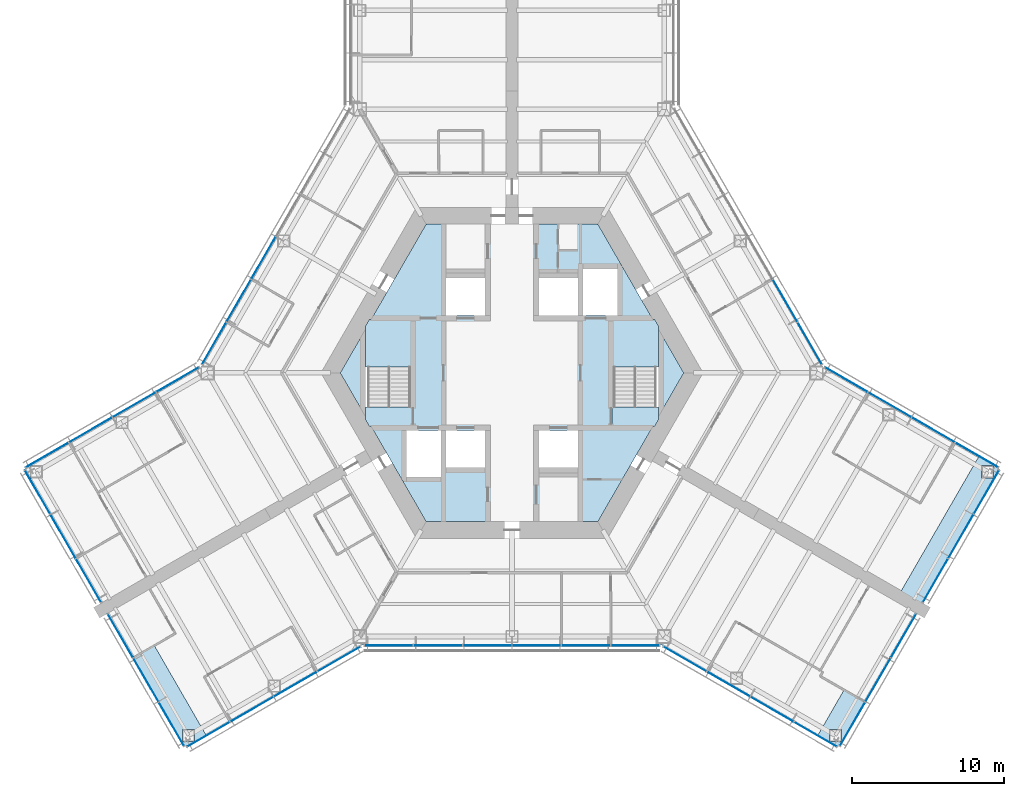
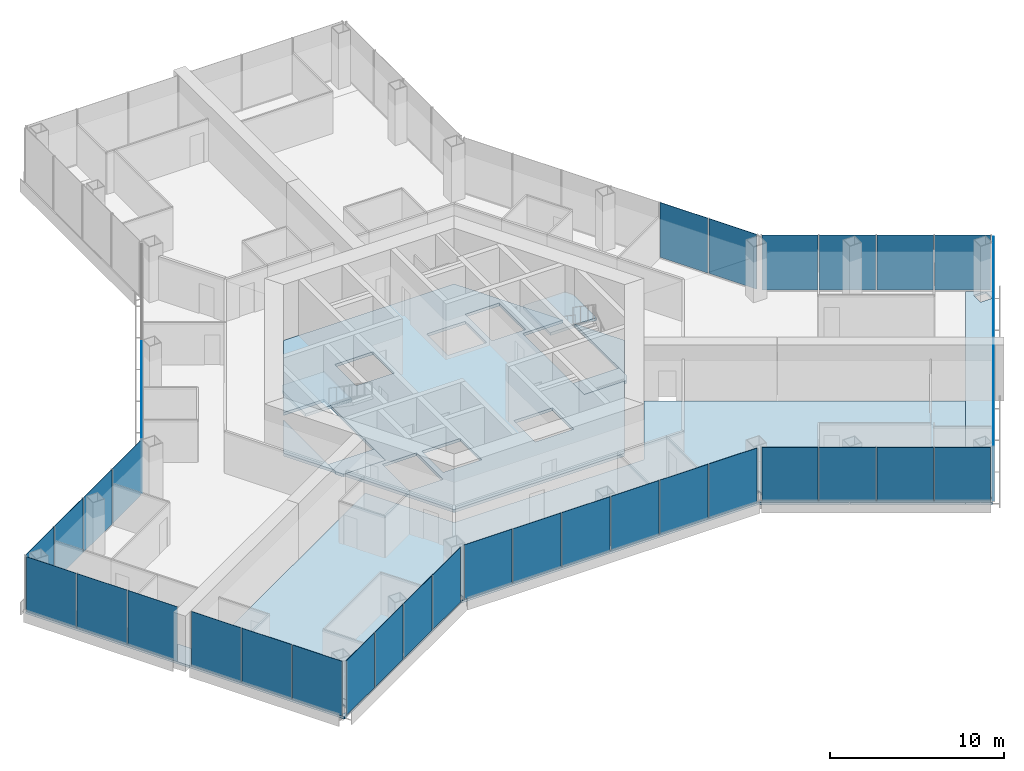
# One storey, part 10 of 18: 39 plates, 10 slabs, 13 elements without a shape of their own.
"""IFC4 building model written with IfcOpenShell, lengths in metres."""

from ifc_helpers import new_model, si_unit, direction, frame, origin, origin_2d, place, context, subcontext, project, spatial, polyline, rectangle, outline, extrude, material, layer, layer_set, type_object, element, aggregate, save


model = new_model("IFC4")

# Units and contexts
model_context = context("Model", 3, precision=1e-05, world=origin(), true_north=direction((0.0, 1.0)))
body_context = subcontext(model_context, "Body", "Model", "MODEL_VIEW")
ifc_project = project(units=[si_unit("LENGTHUNIT", "METRE"), si_unit("AREAUNIT", "SQUARE_METRE"), si_unit("VOLUMEUNIT", "CUBIC_METRE"), si_unit("PLANEANGLEUNIT", "RADIAN"), si_unit("MASSUNIT", "GRAM", prefix="KILO")], contexts=[model_context])

# Site, building, storey
site_placement = place(None, origin())
site = spatial("IfcSite", under=ifc_project, at=site_placement, CompositionType="ELEMENT")
building_placement = place(site_placement, origin())
building = spatial("IfcBuilding", under=site, at=building_placement, Name="Kasaneha Research Tower", CompositionType="ELEMENT")
storey_placement = place(building_placement, frame((0.0, 0.0, 111.89990234375)))
storey = spatial("IfcBuildingStorey", under=building, at=storey_placement, Name="L28", CompositionType="ELEMENT", Elevation=111.89990234375)

# Curtain wall, plates
ifc_material_1 = material(Name="Glass and aluminium", Category="aluminium")
curtain_wall_type = type_object("IfcCurtainWallType", Name="Low-rise office curtain wall", PredefinedType="USERDEFINED", material=ifc_material_1)
curtain_wall_1_placement = place(storey_placement, origin())
curtain_wall_1 = element("IfcCurtainWall", 1, at=curtain_wall_1_placement, inside=storey, type_object=curtain_wall_type, Name="CW-O1 L28 run 01a", ObjectType="UNITISED CURTAIN WALL", PredefinedType="USERDEFINED")
ifc_material_2 = material(Name="Laminated double glazing", Category="glass")
ifc_layer_1 = layer(ifc_material_2, 0.028076171875)
ifc_layer_set_1 = layer_set([ifc_layer_1], Name="CW-O1 glazed panel")
plate_type = type_object("IfcPlateType", Name="CW-O1 glazed panel", PredefinedType="CURTAIN_PANEL", material=ifc_layer_set_1)
plate_1_placement = place(storey_placement, frame((-19.945068359375, -23.755126953125, 0.06005859375), z_axis=(0.0, 0.0, 1.0), x_axis=(0.866025411464, 0.499999986699, 0.0)))
plate_1 = element("IfcPlate", 2, at=plate_1_placement, type_object=plate_type, Name="CW-O1 panel 1", PredefinedType="CURTAIN_PANEL", context=body_context, shape_type="SweptSolid", body=[
    extrude(rectangle(XDim=3.2197265625, YDim=0.028076171875, at=origin_2d()), origin(), (0.0, 0.0, 1.0), 3.840087890625),
])
plate_2_placement = place(storey_placement, frame((-17.091796875, -22.107666015625, 0.06005859375), z_axis=(0.0, 0.0, 1.0), x_axis=(0.866025411464, 0.499999986699, 0.0)))
plate_2 = element("IfcPlate", 3, at=plate_2_placement, type_object=plate_type, Name="CW-O1 panel 2", PredefinedType="CURTAIN_PANEL", context=body_context, shape_type="SweptSolid", body=[
    extrude(rectangle(XDim=3.249755859375, YDim=0.028076171875, at=origin_2d()), origin(), (0.0, 0.0, 1.0), 3.840087890625),
])
plate_3_placement = place(storey_placement, frame((-14.225341796875, -20.452880859375, 0.06005859375), z_axis=(0.0, 0.0, 1.0), x_axis=(0.866025411464, 0.499999986699, 0.0)))
plate_3 = element("IfcPlate", 4, at=plate_3_placement, type_object=plate_type, Name="CW-O1 panel 3", PredefinedType="CURTAIN_PANEL", context=body_context, shape_type="SweptSolid", body=[
    extrude(rectangle(XDim=3.249755859375, YDim=0.028076171875, at=origin_2d()), origin(), (0.0, 0.0, 1.0), 3.840087890625),
])
plate_4_placement = place(storey_placement, frame((-11.3720703125, -18.805419921875, 0.06005859375), z_axis=(0.0, 0.0, 1.0), x_axis=(0.866025411464, 0.499999986699, 0.0)))
plate_4 = element("IfcPlate", 5, at=plate_4_placement, type_object=plate_type, Name="CW-O1 panel 4", PredefinedType="CURTAIN_PANEL", context=body_context, shape_type="SweptSolid", body=[
    extrude(rectangle(XDim=3.2197265625, YDim=0.028076171875, at=origin_2d()), origin(), (0.0, 0.0, 1.0), 3.840087890625),
])
aggregate(curtain_wall_1, [plate_1, plate_2, plate_3, plate_4])

curtain_wall_2_placement = place(storey_placement, origin())
curtain_wall_2 = element("IfcCurtainWall", 6, at=curtain_wall_2_placement, inside=storey, type_object=curtain_wall_type, Name="CW-O1 L28 run 02a", ObjectType="UNITISED CURTAIN WALL", PredefinedType="USERDEFINED")
plate_5_placement = place(storey_placement, frame((-8.10107421875, -17.92041015625, 0.06005859375), z_axis=(0.0, 0.0, 1.0), x_axis=(1.0, 0.0, 0.0)))
plate_5 = element("IfcPlate", 7, at=plate_5_placement, type_object=plate_type, Name="CW-O1 panel 1", PredefinedType="CURTAIN_PANEL", context=body_context, shape_type="SweptSolid", body=[
    extrude(rectangle(XDim=3.156494140625, YDim=0.028076171875, at=origin_2d()), origin(), (0.0, 0.0, 1.0), 3.840087890625),
])
plate_6_placement = place(storey_placement, frame((-4.86962890625, -17.92041015625, 0.06005859375), z_axis=(0.0, 0.0, 1.0), x_axis=(1.0, 0.0, 0.0)))
plate_6 = element("IfcPlate", 8, at=plate_6_placement, type_object=plate_type, Name="CW-O1 panel 2", PredefinedType="CURTAIN_PANEL", context=body_context, shape_type="SweptSolid", body=[
    extrude(rectangle(XDim=3.1865234375, YDim=0.028076171875, at=origin_2d()), origin(), (0.0, 0.0, 1.0), 3.840087890625),
])
plate_7_placement = place(storey_placement, frame((-1.623291015625, -17.92041015625, 0.06005859375), z_axis=(0.0, 0.0, 1.0), x_axis=(1.0, 0.0, 0.0)))
plate_7 = element("IfcPlate", 9, at=plate_7_placement, type_object=plate_type, Name="CW-O1 panel 3", PredefinedType="CURTAIN_PANEL", context=body_context, shape_type="SweptSolid", body=[
    extrude(rectangle(XDim=3.1865234375, YDim=0.028076171875, at=origin_2d()), origin(), (0.0, 0.0, 1.0), 3.840087890625),
])
plate_8_placement = place(storey_placement, frame((1.623291015625, -17.92041015625, 0.06005859375), z_axis=(0.0, 0.0, 1.0), x_axis=(1.0, 0.0, 0.0)))
plate_8 = element("IfcPlate", 10, at=plate_8_placement, type_object=plate_type, Name="CW-O1 panel 4", PredefinedType="CURTAIN_PANEL", context=body_context, shape_type="SweptSolid", body=[
    extrude(rectangle(XDim=3.1865234375, YDim=0.028076171875, at=origin_2d()), origin(), (0.0, 0.0, 1.0), 3.840087890625),
])
plate_9_placement = place(storey_placement, frame((4.86962890625, -17.92041015625, 0.06005859375), z_axis=(0.0, 0.0, 1.0), x_axis=(1.0, 0.0, 0.0)))
plate_9 = element("IfcPlate", 11, at=plate_9_placement, type_object=plate_type, Name="CW-O1 panel 5", PredefinedType="CURTAIN_PANEL", context=body_context, shape_type="SweptSolid", body=[
    extrude(rectangle(XDim=3.1865234375, YDim=0.028076171875, at=origin_2d()), origin(), (0.0, 0.0, 1.0), 3.840087890625),
])
plate_10_placement = place(storey_placement, frame((8.10107421875, -17.92041015625, 0.06005859375), z_axis=(0.0, 0.0, 1.0), x_axis=(1.0, 0.0, 0.0)))
plate_10 = element("IfcPlate", 12, at=plate_10_placement, type_object=plate_type, Name="CW-O1 panel 6", PredefinedType="CURTAIN_PANEL", context=body_context, shape_type="SweptSolid", body=[
    extrude(rectangle(XDim=3.156494140625, YDim=0.028076171875, at=origin_2d()), origin(), (0.0, 0.0, 1.0), 3.840087890625),
])
aggregate(curtain_wall_2, [plate_5, plate_6, plate_7, plate_8, plate_9, plate_10])

curtain_wall_3_placement = place(storey_placement, origin())
curtain_wall_3 = element("IfcCurtainWall", 13, at=curtain_wall_3_placement, inside=storey, type_object=curtain_wall_type, Name="CW-O1 L28 run 03a", ObjectType="UNITISED CURTAIN WALL", PredefinedType="USERDEFINED")
plate_11_placement = place(storey_placement, frame((11.3720703125, -18.805419921875, 0.06005859375), z_axis=(0.0, 0.0, 1.0), x_axis=(0.866025411464, -0.499999986699, 0.0)))
plate_11 = element("IfcPlate", 14, at=plate_11_placement, type_object=plate_type, Name="CW-O1 panel 1", PredefinedType="CURTAIN_PANEL", context=body_context, shape_type="SweptSolid", body=[
    extrude(rectangle(XDim=3.2197265625, YDim=0.028076171875, at=origin_2d()), origin(), (0.0, 0.0, 1.0), 3.840087890625),
])
plate_12_placement = place(storey_placement, frame((14.225341796875, -20.452880859375, 0.06005859375), z_axis=(0.0, 0.0, 1.0), x_axis=(0.866025411464, -0.499999986699, 0.0)))
plate_12 = element("IfcPlate", 15, at=plate_12_placement, type_object=plate_type, Name="CW-O1 panel 2", PredefinedType="CURTAIN_PANEL", context=body_context, shape_type="SweptSolid", body=[
    extrude(rectangle(XDim=3.249755859375, YDim=0.028076171875, at=origin_2d()), origin(), (0.0, 0.0, 1.0), 3.840087890625),
])
plate_13_placement = place(storey_placement, frame((17.091796875, -22.107666015625, 0.06005859375), z_axis=(0.0, 0.0, 1.0), x_axis=(0.866025411464, -0.499999986699, 0.0)))
plate_13 = element("IfcPlate", 16, at=plate_13_placement, type_object=plate_type, Name="CW-O1 panel 3", PredefinedType="CURTAIN_PANEL", context=body_context, shape_type="SweptSolid", body=[
    extrude(rectangle(XDim=3.249755859375, YDim=0.028076171875, at=origin_2d()), origin(), (0.0, 0.0, 1.0), 3.840087890625),
])
plate_14_placement = place(storey_placement, frame((19.945068359375, -23.755126953125, 0.06005859375), z_axis=(0.0, 0.0, 1.0), x_axis=(0.866025411464, -0.499999986699, 0.0)))
plate_14 = element("IfcPlate", 17, at=plate_14_placement, type_object=plate_type, Name="CW-O1 panel 4", PredefinedType="CURTAIN_PANEL", context=body_context, shape_type="SweptSolid", body=[
    extrude(rectangle(XDim=3.2197265625, YDim=0.028076171875, at=origin_2d()), origin(), (0.0, 0.0, 1.0), 3.840087890625),
])
aggregate(curtain_wall_3, [plate_11, plate_12, plate_13, plate_14])

curtain_wall_4_placement = place(storey_placement, origin())
curtain_wall_4 = element("IfcCurtainWall", 18, at=curtain_wall_4_placement, inside=storey, type_object=curtain_wall_type, Name="CW-O1 L28 run 04a", ObjectType="UNITISED CURTAIN WALL", PredefinedType="USERDEFINED")
plate_15_placement = place(storey_placement, frame((22.377197265625, -23.082763671875, 0.06005859375), z_axis=(0.0, 0.0, 1.0), x_axis=(0.500000011442, 0.866025397178, 0.0)))
plate_15 = element("IfcPlate", 19, at=plate_15_placement, type_object=plate_type, Name="CW-O1 panel 1", PredefinedType="CURTAIN_PANEL", context=body_context, shape_type="SweptSolid", body=[
    extrude(rectangle(XDim=3.276611328125, YDim=0.028076171875, at=origin_2d()), origin(), (0.0, 0.0, 1.0), 3.840087890625),
])
plate_16_placement = place(storey_placement, frame((24.052978515625, -20.18017578125, 0.06005859375), z_axis=(0.0, 0.0, 1.0), x_axis=(0.500000011442, 0.866025397178, 0.0)))
plate_16 = element("IfcPlate", 20, at=plate_16_placement, type_object=plate_type, Name="CW-O1 panel 2", PredefinedType="CURTAIN_PANEL", context=body_context, shape_type="SweptSolid", body=[
    extrude(rectangle(XDim=3.306640625, YDim=0.028076171875, at=origin_2d()), origin(), (0.0, 0.0, 1.0), 3.840087890625),
])
plate_17_placement = place(storey_placement, frame((25.728759765625, -17.27734375, 0.06005859375), z_axis=(0.0, 0.0, 1.0), x_axis=(0.500000011442, 0.866025397178, 0.0)))
plate_17 = element("IfcPlate", 21, at=plate_17_placement, type_object=plate_type, Name="CW-O1 panel 3", PredefinedType="CURTAIN_PANEL", context=body_context, shape_type="SweptSolid", body=[
    extrude(rectangle(XDim=3.276611328125, YDim=0.028076171875, at=origin_2d()), origin(), (0.0, 0.0, 1.0), 3.840087890625),
])
aggregate(curtain_wall_4, [plate_15, plate_16, plate_17])

curtain_wall_5_placement = place(storey_placement, origin())
curtain_wall_5 = element("IfcCurtainWall", 22, at=curtain_wall_5_placement, inside=storey, type_object=curtain_wall_type, Name="CW-O1 L28 run 05a", ObjectType="UNITISED CURTAIN WALL", PredefinedType="USERDEFINED")
plate_18_placement = place(storey_placement, frame((27.8271484375, -13.64306640625, 0.06005859375), z_axis=(0.0, 0.0, 1.0), x_axis=(0.500000011442, 0.866025397178, 0.0)))
plate_18 = element("IfcPlate", 23, at=plate_18_placement, type_object=plate_type, Name="CW-O1 panel 1", PredefinedType="CURTAIN_PANEL", context=body_context, shape_type="SweptSolid", body=[
    extrude(rectangle(XDim=3.276611328125, YDim=0.028076171875, at=origin_2d()), origin(), (0.0, 0.0, 1.0), 3.840087890625),
])
plate_19_placement = place(storey_placement, frame((29.5029296875, -10.740478515625, 0.06005859375), z_axis=(0.0, 0.0, 1.0), x_axis=(0.500000011442, 0.866025397178, 0.0)))
plate_19 = element("IfcPlate", 24, at=plate_19_placement, type_object=plate_type, Name="CW-O1 panel 2", PredefinedType="CURTAIN_PANEL", context=body_context, shape_type="SweptSolid", body=[
    extrude(rectangle(XDim=3.306640625, YDim=0.028076171875, at=origin_2d()), origin(), (0.0, 0.0, 1.0), 3.840087890625),
])
plate_20_placement = place(storey_placement, frame((31.1787109375, -7.837890625, 0.06005859375), z_axis=(0.0, 0.0, 1.0), x_axis=(0.500000011442, 0.866025397178, 0.0)))
plate_20 = element("IfcPlate", 25, at=plate_20_placement, type_object=plate_type, Name="CW-O1 panel 3", PredefinedType="CURTAIN_PANEL", context=body_context, shape_type="SweptSolid", body=[
    extrude(rectangle(XDim=3.276611328125, YDim=0.028076171875, at=origin_2d()), origin(), (0.0, 0.0, 1.0), 3.840087890625),
])
aggregate(curtain_wall_5, [plate_18, plate_19, plate_20])

curtain_wall_6_placement = place(storey_placement, origin())
curtain_wall_6 = element("IfcCurtainWall", 26, at=curtain_wall_6_placement, inside=storey, type_object=curtain_wall_type, Name="CW-O1 L28 run 06a", ObjectType="UNITISED CURTAIN WALL", PredefinedType="USERDEFINED")
plate_21_placement = place(storey_placement, frame((30.545166015625, -5.3955078125, 0.06005859375), z_axis=(0.0, 0.0, 1.0), x_axis=(-0.866025411464, 0.499999986699, 0.0)))
plate_21 = element("IfcPlate", 27, at=plate_21_placement, type_object=plate_type, Name="CW-O1 panel 1", PredefinedType="CURTAIN_PANEL", context=body_context, shape_type="SweptSolid", body=[
    extrude(rectangle(XDim=3.2197265625, YDim=0.028076171875, at=origin_2d()), origin(), (0.0, 0.0, 1.0), 3.840087890625),
])
plate_22_placement = place(storey_placement, frame((27.69189453125, -3.748046875, 0.06005859375), z_axis=(0.0, 0.0, 1.0), x_axis=(-0.866025411464, 0.499999986699, 0.0)))
plate_22 = element("IfcPlate", 28, at=plate_22_placement, type_object=plate_type, Name="CW-O1 panel 2", PredefinedType="CURTAIN_PANEL", context=body_context, shape_type="SweptSolid", body=[
    extrude(rectangle(XDim=3.249755859375, YDim=0.028076171875, at=origin_2d()), origin(), (0.0, 0.0, 1.0), 3.840087890625),
])
plate_23_placement = place(storey_placement, frame((24.825439453125, -2.093017578125, 0.06005859375), z_axis=(0.0, 0.0, 1.0), x_axis=(-0.866025411464, 0.499999986699, 0.0)))
plate_23 = element("IfcPlate", 29, at=plate_23_placement, type_object=plate_type, Name="CW-O1 panel 3", PredefinedType="CURTAIN_PANEL", context=body_context, shape_type="SweptSolid", body=[
    extrude(rectangle(XDim=3.249755859375, YDim=0.028076171875, at=origin_2d()), origin(), (0.0, 0.0, 1.0), 3.840087890625),
])
plate_24_placement = place(storey_placement, frame((21.971923828125, -0.44580078125, 0.06005859375), z_axis=(0.0, 0.0, 1.0), x_axis=(-0.866025411464, 0.499999986699, 0.0)))
plate_24 = element("IfcPlate", 30, at=plate_24_placement, type_object=plate_type, Name="CW-O1 panel 4", PredefinedType="CURTAIN_PANEL", context=body_context, shape_type="SweptSolid", body=[
    extrude(rectangle(XDim=3.2197265625, YDim=0.028076171875, at=origin_2d()), origin(), (0.0, 0.0, 1.0), 3.840087890625),
])
aggregate(curtain_wall_6, [plate_21, plate_22, plate_23, plate_24])

curtain_wall_7_placement = place(storey_placement, origin())
curtain_wall_7 = element("IfcCurtainWall", 31, at=curtain_wall_7_placement, inside=storey, type_object=curtain_wall_type, Name="CW-O1 L28 run 07a", ObjectType="UNITISED CURTAIN WALL", PredefinedType="USERDEFINED")
plate_25_placement = place(storey_placement, frame((19.570068359375, 1.944580078125, 0.06005859375), z_axis=(0.0, 0.0, 1.0), x_axis=(-0.49999996188, 0.866025425793, 0.0)))
plate_25 = element("IfcPlate", 32, at=plate_25_placement, type_object=plate_type, Name="CW-O1 panel 1", PredefinedType="CURTAIN_PANEL", context=body_context, shape_type="SweptSolid", body=[
    extrude(rectangle(XDim=3.156494140625, YDim=0.028076171875, at=origin_2d()), origin(), (0.0, 0.0, 1.0), 3.840087890625),
])
plate_26_placement = place(storey_placement, frame((17.954345703125, 4.7431640625, 0.06005859375), z_axis=(0.0, 0.0, 1.0), x_axis=(-0.49999996188, 0.866025425793, 0.0)))
plate_26 = element("IfcPlate", 33, at=plate_26_placement, type_object=plate_type, Name="CW-O1 panel 2", PredefinedType="CURTAIN_PANEL", context=body_context, shape_type="SweptSolid", body=[
    extrude(rectangle(XDim=3.1865234375, YDim=0.028076171875, at=origin_2d()), origin(), (0.0, 0.0, 1.0), 3.840087890625),
])
aggregate(curtain_wall_7, [plate_25, plate_26])

curtain_wall_8_placement = place(storey_placement, origin())
curtain_wall_8 = element("IfcCurtainWall", 34, at=curtain_wall_8_placement, inside=storey, type_object=curtain_wall_type, Name="CW-O1 L28 run 12a", ObjectType="UNITISED CURTAIN WALL", PredefinedType="USERDEFINED")
plate_27_placement = place(storey_placement, frame((-16.331298828125, 7.554443359375, 0.06005859375), z_axis=(0.0, 0.0, 1.0), x_axis=(-0.49999996188, -0.866025425793, 0.0)))
plate_27 = element("IfcPlate", 35, at=plate_27_placement, type_object=plate_type, Name="CW-O1 panel 4", PredefinedType="CURTAIN_PANEL", context=body_context, shape_type="SweptSolid", body=[
    extrude(rectangle(XDim=3.1865234375, YDim=0.028076171875, at=origin_2d()), origin(), (0.0, 0.0, 1.0), 3.840087890625),
])
plate_28_placement = place(storey_placement, frame((-17.954345703125, 4.7431640625, 0.06005859375), z_axis=(0.0, 0.0, 1.0), x_axis=(-0.49999996188, -0.866025425793, 0.0)))
plate_28 = element("IfcPlate", 36, at=plate_28_placement, type_object=plate_type, Name="CW-O1 panel 5", PredefinedType="CURTAIN_PANEL", context=body_context, shape_type="SweptSolid", body=[
    extrude(rectangle(XDim=3.1865234375, YDim=0.028076171875, at=origin_2d()), origin(), (0.0, 0.0, 1.0), 3.840087890625),
])
plate_29_placement = place(storey_placement, frame((-19.570068359375, 1.944580078125, 0.06005859375), z_axis=(0.0, 0.0, 1.0), x_axis=(-0.49999996188, -0.866025425793, 0.0)))
plate_29 = element("IfcPlate", 37, at=plate_29_placement, type_object=plate_type, Name="CW-O1 panel 6", PredefinedType="CURTAIN_PANEL", context=body_context, shape_type="SweptSolid", body=[
    extrude(rectangle(XDim=3.156494140625, YDim=0.028076171875, at=origin_2d()), origin(), (0.0, 0.0, 1.0), 3.840087890625),
])
aggregate(curtain_wall_8, [plate_27, plate_28, plate_29])

curtain_wall_9_placement = place(storey_placement, origin())
curtain_wall_9 = element("IfcCurtainWall", 38, at=curtain_wall_9_placement, inside=storey, type_object=curtain_wall_type, Name="CW-O1 L28 run 13a", ObjectType="UNITISED CURTAIN WALL", PredefinedType="USERDEFINED")
plate_30_placement = place(storey_placement, frame((-21.971923828125, -0.44580078125, 0.06005859375), z_axis=(0.0, 0.0, 1.0), x_axis=(-0.866025411464, -0.499999986699, 0.0)))
plate_30 = element("IfcPlate", 39, at=plate_30_placement, type_object=plate_type, Name="CW-O1 panel 1", PredefinedType="CURTAIN_PANEL", context=body_context, shape_type="SweptSolid", body=[
    extrude(rectangle(XDim=3.2197265625, YDim=0.028076171875, at=origin_2d()), origin(), (0.0, 0.0, 1.0), 3.840087890625),
])
plate_31_placement = place(storey_placement, frame((-24.825439453125, -2.093017578125, 0.06005859375), z_axis=(0.0, 0.0, 1.0), x_axis=(-0.866025411464, -0.499999986699, 0.0)))
plate_31 = element("IfcPlate", 40, at=plate_31_placement, type_object=plate_type, Name="CW-O1 panel 2", PredefinedType="CURTAIN_PANEL", context=body_context, shape_type="SweptSolid", body=[
    extrude(rectangle(XDim=3.249755859375, YDim=0.028076171875, at=origin_2d()), origin(), (0.0, 0.0, 1.0), 3.840087890625),
])
plate_32_placement = place(storey_placement, frame((-27.69189453125, -3.748046875, 0.06005859375), z_axis=(0.0, 0.0, 1.0), x_axis=(-0.866025411464, -0.499999986699, 0.0)))
plate_32 = element("IfcPlate", 41, at=plate_32_placement, type_object=plate_type, Name="CW-O1 panel 3", PredefinedType="CURTAIN_PANEL", context=body_context, shape_type="SweptSolid", body=[
    extrude(rectangle(XDim=3.249755859375, YDim=0.028076171875, at=origin_2d()), origin(), (0.0, 0.0, 1.0), 3.840087890625),
])
plate_33_placement = place(storey_placement, frame((-30.545166015625, -5.3955078125, 0.06005859375), z_axis=(0.0, 0.0, 1.0), x_axis=(-0.866025411464, -0.499999986699, 0.0)))
plate_33 = element("IfcPlate", 42, at=plate_33_placement, type_object=plate_type, Name="CW-O1 panel 4", PredefinedType="CURTAIN_PANEL", context=body_context, shape_type="SweptSolid", body=[
    extrude(rectangle(XDim=3.2197265625, YDim=0.028076171875, at=origin_2d()), origin(), (0.0, 0.0, 1.0), 3.840087890625),
])
aggregate(curtain_wall_9, [plate_30, plate_31, plate_32, plate_33])

curtain_wall_10_placement = place(storey_placement, origin())
curtain_wall_10 = element("IfcCurtainWall", 43, at=curtain_wall_10_placement, inside=storey, type_object=curtain_wall_type, Name="CW-O1 L28 run 14a", ObjectType="UNITISED CURTAIN WALL", PredefinedType="USERDEFINED")
plate_34_placement = place(storey_placement, frame((-31.1787109375, -7.837890625, 0.06005859375), z_axis=(0.0, 0.0, 1.0), x_axis=(0.500000011442, -0.866025397178, 0.0)))
plate_34 = element("IfcPlate", 44, at=plate_34_placement, type_object=plate_type, Name="CW-O1 panel 1", PredefinedType="CURTAIN_PANEL", context=body_context, shape_type="SweptSolid", body=[
    extrude(rectangle(XDim=3.276611328125, YDim=0.028076171875, at=origin_2d()), origin(), (0.0, 0.0, 1.0), 3.840087890625),
])
plate_35_placement = place(storey_placement, frame((-29.5029296875, -10.740478515625, 0.06005859375), z_axis=(0.0, 0.0, 1.0), x_axis=(0.500000011442, -0.866025397178, 0.0)))
plate_35 = element("IfcPlate", 45, at=plate_35_placement, type_object=plate_type, Name="CW-O1 panel 2", PredefinedType="CURTAIN_PANEL", context=body_context, shape_type="SweptSolid", body=[
    extrude(rectangle(XDim=3.306640625, YDim=0.028076171875, at=origin_2d()), origin(), (0.0, 0.0, 1.0), 3.840087890625),
])
plate_36_placement = place(storey_placement, frame((-27.8271484375, -13.64306640625, 0.06005859375), z_axis=(0.0, 0.0, 1.0), x_axis=(0.500000011442, -0.866025397178, 0.0)))
plate_36 = element("IfcPlate", 46, at=plate_36_placement, type_object=plate_type, Name="CW-O1 panel 3", PredefinedType="CURTAIN_PANEL", context=body_context, shape_type="SweptSolid", body=[
    extrude(rectangle(XDim=3.276611328125, YDim=0.028076171875, at=origin_2d()), origin(), (0.0, 0.0, 1.0), 3.840087890625),
])
aggregate(curtain_wall_10, [plate_34, plate_35, plate_36])

curtain_wall_11_placement = place(storey_placement, origin())
curtain_wall_11 = element("IfcCurtainWall", 47, at=curtain_wall_11_placement, inside=storey, type_object=curtain_wall_type, Name="CW-O1 L28 run 15a", ObjectType="UNITISED CURTAIN WALL", PredefinedType="USERDEFINED")
plate_37_placement = place(storey_placement, frame((-25.728759765625, -17.27734375, 0.06005859375), z_axis=(0.0, 0.0, 1.0), x_axis=(0.500000011442, -0.866025397178, 0.0)))
plate_37 = element("IfcPlate", 48, at=plate_37_placement, type_object=plate_type, Name="CW-O1 panel 1", PredefinedType="CURTAIN_PANEL", context=body_context, shape_type="SweptSolid", body=[
    extrude(rectangle(XDim=3.276611328125, YDim=0.028076171875, at=origin_2d()), origin(), (0.0, 0.0, 1.0), 3.840087890625),
])
plate_38_placement = place(storey_placement, frame((-24.052978515625, -20.18017578125, 0.06005859375), z_axis=(0.0, 0.0, 1.0), x_axis=(0.500000011442, -0.866025397178, 0.0)))
plate_38 = element("IfcPlate", 49, at=plate_38_placement, type_object=plate_type, Name="CW-O1 panel 2", PredefinedType="CURTAIN_PANEL", context=body_context, shape_type="SweptSolid", body=[
    extrude(rectangle(XDim=3.306640625, YDim=0.028076171875, at=origin_2d()), origin(), (0.0, 0.0, 1.0), 3.840087890625),
])
plate_39_placement = place(storey_placement, frame((-22.377197265625, -23.082763671875, 0.06005859375), z_axis=(0.0, 0.0, 1.0), x_axis=(0.500000011442, -0.866025397178, 0.0)))
plate_39 = element("IfcPlate", 50, at=plate_39_placement, type_object=plate_type, Name="CW-O1 panel 3", PredefinedType="CURTAIN_PANEL", context=body_context, shape_type="SweptSolid", body=[
    extrude(rectangle(XDim=3.276611328125, YDim=0.028076171875, at=origin_2d()), origin(), (0.0, 0.0, 1.0), 3.840087890625),
])
aggregate(curtain_wall_11, [plate_37, plate_38, plate_39])

# Slabs
ifc_material_3 = material(Name="Concrete Fc24", Category="concrete")
ifc_layer_2 = layer(ifc_material_3, 0.199951171875)
ifc_layer_set_2 = layer_set([ifc_layer_2], Name="Core floor slab 200")
slab_type_1 = type_object("IfcSlabType", Name="Core floor slab 200", PredefinedType="FLOOR", material=ifc_layer_set_2)
slab_1_placement = place(storey_placement, frame((0.0, 0.0, -0.199951171875)))
element("IfcSlab", 51, at=slab_1_placement, inside=storey, type_object=slab_type_1, Name="Core slab L28", PredefinedType="FLOOR", context=body_context, shape_type="SweptSolid", body=[
    extrude(outline(polyline([(-11.287109375, 0.0), (-9.625, 2.87890625), (-9.625, -2.87890625), (-11.287109375, 0.0)])), origin(), (0.0, 0.0, 1.0), 0.199951171875),
])
slab_2_placement = place(storey_placement, frame((0.0, 0.0, -0.199951171875)))
element("IfcSlab", 52, at=slab_2_placement, inside=storey, type_object=slab_type_1, Name="Core slab L28", PredefinedType="FLOOR", context=body_context, shape_type="SweptSolid", body=[
    extrude(outline(polyline([(-5.6435546875, 9.77490234375), (5.6435546875, 9.77490234375), (9.251953125, 3.52490234375), (6.574951171875, 3.52490234375), (6.574951171875, -3.52490234375), (9.251953125, -3.52490234375), (5.6435546875, -9.77490234375), (-5.6435546875, -9.77490234375), (-9.251953125, -3.52490234375), (-6.574951171875, -3.52490234375), (-6.574951171875, 3.52490234375), (-9.251953125, 3.52490234375), (-5.6435546875, 9.77490234375)]), holes=[polyline([(-6.925048828125, -3.77490234375), (-6.925048828125, -6.824951171875), (-4.675048828125, -6.824951171875), (-4.675048828125, -3.77490234375), (-6.925048828125, -3.77490234375)]), polyline([(-4.324951171875, -3.77490234375), (-4.324951171875, -6.22509765625), (-1.77490234375, -6.22509765625), (-1.77490234375, -3.77490234375), (-4.324951171875, -3.77490234375)]), polyline([(1.77490234375, -3.77490234375), (1.77490234375, -6.22509765625), (4.324951171875, -6.22509765625), (4.324951171875, -3.77490234375), (1.77490234375, -3.77490234375)]), polyline([(-4.324951171875, 6.22509765625), (-4.324951171875, 3.77490234375), (-1.77490234375, 3.77490234375), (-1.77490234375, 6.22509765625), (-4.324951171875, 6.22509765625)]), polyline([(1.77490234375, 6.22509765625), (1.77490234375, 3.77490234375), (4.324951171875, 3.77490234375), (4.324951171875, 6.22509765625), (1.77490234375, 6.22509765625)]), polyline([(4.675048828125, 6.824951171875), (4.675048828125, 3.77490234375), (6.925048828125, 3.77490234375), (6.925048828125, 6.824951171875), (4.675048828125, 6.824951171875)])]), origin(), (0.0, 0.0, 1.0), 0.199951171875),
])
slab_3_placement = place(storey_placement, frame((0.0, 0.0, -0.199951171875)))
element("IfcSlab", 53, at=slab_3_placement, inside=storey, type_object=slab_type_1, Name="Core slab L28", PredefinedType="FLOOR", context=body_context, shape_type="SweptSolid", body=[
    extrude(outline(polyline([(11.287109375, 0.0), (9.625, -2.87890625), (9.625, 2.87890625), (11.287109375, 0.0)])), origin(), (0.0, 0.0, 1.0), 0.199951171875),
])
ifc_material_4 = material(Name="Concrete Fc24", Category="concrete")
ifc_layer_3 = layer(ifc_material_4, 0.14990234375)
ifc_layer_set_3 = layer_set([ifc_layer_3], Name="Floor slab 150")
slab_type_2 = type_object("IfcSlabType", Name="Floor slab 150", PredefinedType="FLOOR", material=ifc_layer_set_3)
slab_4_placement = place(storey_placement, frame((0.0, 0.0, -0.14990234375)))
element("IfcSlab", 54, at=slab_4_placement, inside=storey, type_object=slab_type_2, Name="Floor slab L28 1", PredefinedType="FLOOR", context=body_context, shape_type="SweptSolid", body=[
    extrude(outline(polyline([(-25.1923828125, -15.006591796875), (-25.18359375, -15.001708984375), (-20.108642578125, -23.791748046875), (-21.459716796875, -24.57177734375), (-21.65576171875, -24.232177734375), (-21.644287109375, -24.220703125), (-20.858154296875, -24.220703125), (-20.858154296875, -23.42041015625), (-21.658447265625, -23.42041015625), (-21.658447265625, -24.20654296875), (-21.666015625, -24.214111328125), (-31.65576171875, -6.91162109375), (-31.644287109375, -6.900146484375), (-30.858154296875, -6.900146484375), (-30.858154296875, -6.099853515625), (-31.658447265625, -6.099853515625), (-31.658447265625, -6.885986328125), (-31.666015625, -6.8935546875), (-32.009521484375, -6.298583984375), (-30.65869140625, -5.518798828125), (-25.583740234375, -14.308837890625), (-25.59228515625, -14.313720703125), (-25.1923828125, -15.006591796875)])), origin(), (0.0, 0.0, 1.0), 0.14990234375),
])
slab_5_placement = place(storey_placement, frame((0.0, 0.0, -0.14990234375)))
element("IfcSlab", 55, at=slab_5_placement, inside=storey, type_object=slab_type_2, Name="Floor slab L28 4", PredefinedType="FLOOR", context=body_context, shape_type="SweptSolid", body=[
    extrude(outline(polyline([(-6.278564453125, -10.875), (6.278564453125, -10.875), (9.218017578125, -5.783935546875), (25.18359375, -15.001708984375), (20.108642578125, -23.791748046875), (14.369384765625, -20.478271484375), (14.377197265625, -20.470703125), (15.163330078125, -20.470703125), (15.163330078125, -19.67041015625), (14.363037109375, -19.67041015625), (14.363037109375, -20.45654296875), (14.3515625, -20.468017578125), (9.8525390625, -17.87060546875), (-9.8525390625, -17.87060546875), (-15.217529296875, -20.968017578125), (-15.22900390625, -20.95654296875), (-15.22900390625, -20.17041015625), (-16.029296875, -20.17041015625), (-16.029296875, -20.970703125), (-15.2431640625, -20.970703125), (-15.235595703125, -20.978271484375), (-20.108642578125, -23.791748046875), (-25.18359375, -15.001708984375), (-9.218017578125, -5.783935546875), (-6.278564453125, -10.875)]), holes=[polyline([(0.39990234375, -17.720458984375), (0.39990234375, -16.92041015625), (-0.39990234375, -16.92041015625), (-0.39990234375, -17.720458984375), (0.39990234375, -17.720458984375)]), polyline([(-9.550048828125, -16.87060546875), (-10.449951171875, -16.87060546875), (-10.449951171875, -17.7705078125), (-9.550048828125, -17.7705078125), (-9.550048828125, -16.87060546875)]), polyline([(10.449951171875, -16.87060546875), (9.550048828125, -16.87060546875), (9.550048828125, -17.7705078125), (10.449951171875, -17.7705078125), (10.449951171875, -16.87060546875)])]), origin(), (0.0, 0.0, 1.0), 0.14990234375),
])
slab_6_placement = place(storey_placement, frame((0.0, 0.0, -0.14990234375)))
element("IfcSlab", 56, at=slab_6_placement, inside=storey, type_object=slab_type_2, Name="Floor slab L28 6", PredefinedType="FLOOR", context=body_context, shape_type="SweptSolid", body=[
    extrude(outline(polyline([(25.1923828125, -15.006591796875), (25.59228515625, -14.313720703125), (25.583740234375, -14.308837890625), (30.65869140625, -5.518798828125), (32.009521484375, -6.298583984375), (31.666015625, -6.8935546875), (31.658447265625, -6.885986328125), (31.658447265625, -6.099853515625), (30.858154296875, -6.099853515625), (30.858154296875, -6.900146484375), (31.644287109375, -6.900146484375), (31.65576171875, -6.91162109375), (21.666015625, -24.214111328125), (21.658447265625, -24.20654296875), (21.658447265625, -23.42041015625), (20.858154296875, -23.42041015625), (20.858154296875, -24.220703125), (21.644287109375, -24.220703125), (21.65576171875, -24.232177734375), (21.459716796875, -24.57177734375), (20.108642578125, -23.791748046875), (25.18359375, -15.001708984375), (25.1923828125, -15.006591796875)])), origin(), (0.0, 0.0, 1.0), 0.14990234375),
])

# Stair, slabs
ifc_material_5 = material(Name="Concrete Fc24", Category="concrete")
stair_type = type_object("IfcStairType", Name="Half-turn stair 22 risers", PredefinedType="HALF_TURN_STAIR", material=ifc_material_5)
stair_1_placement = place(storey_placement, origin())
stair_1 = element("IfcStair", 57, at=stair_1_placement, inside=storey, type_object=stair_type, Name="Stair 1 L28", PredefinedType="HALF_TURN_STAIR")
ifc_material_6 = material(Name="Concrete Fc24", Category="concrete")
ifc_layer_4 = layer(ifc_material_6, 0.199951171875)
ifc_layer_set_4 = layer_set([ifc_layer_4], Name="Stair 1 landing 200")
slab_type_3 = type_object("IfcSlabType", Name="Stair 1 landing 200", PredefinedType="LANDING", material=ifc_layer_set_4)
slab_7_placement = place(storey_placement, frame((0.0, 0.0, -0.199951171875)))
slab_7 = element("IfcSlab", 58, at=slab_7_placement, type_object=slab_type_3, Name="ST1-22R landing 1", PredefinedType="LANDING", context=body_context, shape_type="SweptSolid", body=[
    extrude(outline(polyline([(9.367431640625, -3.52490234375), (6.574951171875, -3.52490234375), (6.574951171875, -2.22509765625), (9.625, -2.22509765625), (9.625, -3.0791015625), (9.367431640625, -3.52490234375)])), origin(), (0.0, 0.0, 1.0), 0.199951171875),
])
slab_8_placement = place(storey_placement, frame((0.0, 0.0, 1.75)))
slab_8 = element("IfcSlab", 59, at=slab_8_placement, type_object=slab_type_3, Name="ST1-22R landing 2", PredefinedType="LANDING", context=body_context, shape_type="SweptSolid", body=[
    extrude(outline(polyline([(6.574951171875, 3.52490234375), (9.367431640625, 3.52490234375), (9.625, 3.0791015625), (9.625, 0.375), (6.574951171875, 0.375), (6.574951171875, 3.52490234375)])), origin(), (0.0, 0.0, 1.0), 0.2001953125),
])
aggregate(stair_1, [slab_7, slab_8])

stair_2_placement = place(storey_placement, origin())
stair_2 = element("IfcStair", 60, at=stair_2_placement, inside=storey, type_object=stair_type, Name="Stair 2 L28", PredefinedType="HALF_TURN_STAIR")
ifc_material_7 = material(Name="Concrete Fc24", Category="concrete")
ifc_layer_5 = layer(ifc_material_7, 0.199951171875)
ifc_layer_set_5 = layer_set([ifc_layer_5], Name="Stair 2 landing 200")
slab_type_4 = type_object("IfcSlabType", Name="Stair 2 landing 200", PredefinedType="LANDING", material=ifc_layer_set_5)
slab_9_placement = place(storey_placement, frame((0.0, 0.0, -0.199951171875)))
slab_9 = element("IfcSlab", 61, at=slab_9_placement, type_object=slab_type_4, Name="ST2-22R landing 1", PredefinedType="LANDING", context=body_context, shape_type="SweptSolid", body=[
    extrude(outline(polyline([(-6.574951171875, -3.52490234375), (-9.367431640625, -3.52490234375), (-9.625, -3.0791015625), (-9.625, -2.22509765625), (-6.574951171875, -2.22509765625), (-6.574951171875, -3.52490234375)])), origin(), (0.0, 0.0, 1.0), 0.199951171875),
])
slab_10_placement = place(storey_placement, frame((0.0, 0.0, 1.75)))
slab_10 = element("IfcSlab", 62, at=slab_10_placement, type_object=slab_type_4, Name="ST2-22R landing 2", PredefinedType="LANDING", context=body_context, shape_type="SweptSolid", body=[
    extrude(outline(polyline([(-6.574951171875, 0.375), (-9.625, 0.375), (-9.625, 3.0791015625), (-9.367431640625, 3.52490234375), (-6.574951171875, 3.52490234375), (-6.574951171875, 0.375)])), origin(), (0.0, 0.0, 1.0), 0.2001953125),
])
aggregate(stair_2, [slab_9, slab_10])

save(model, "model.ifc")
